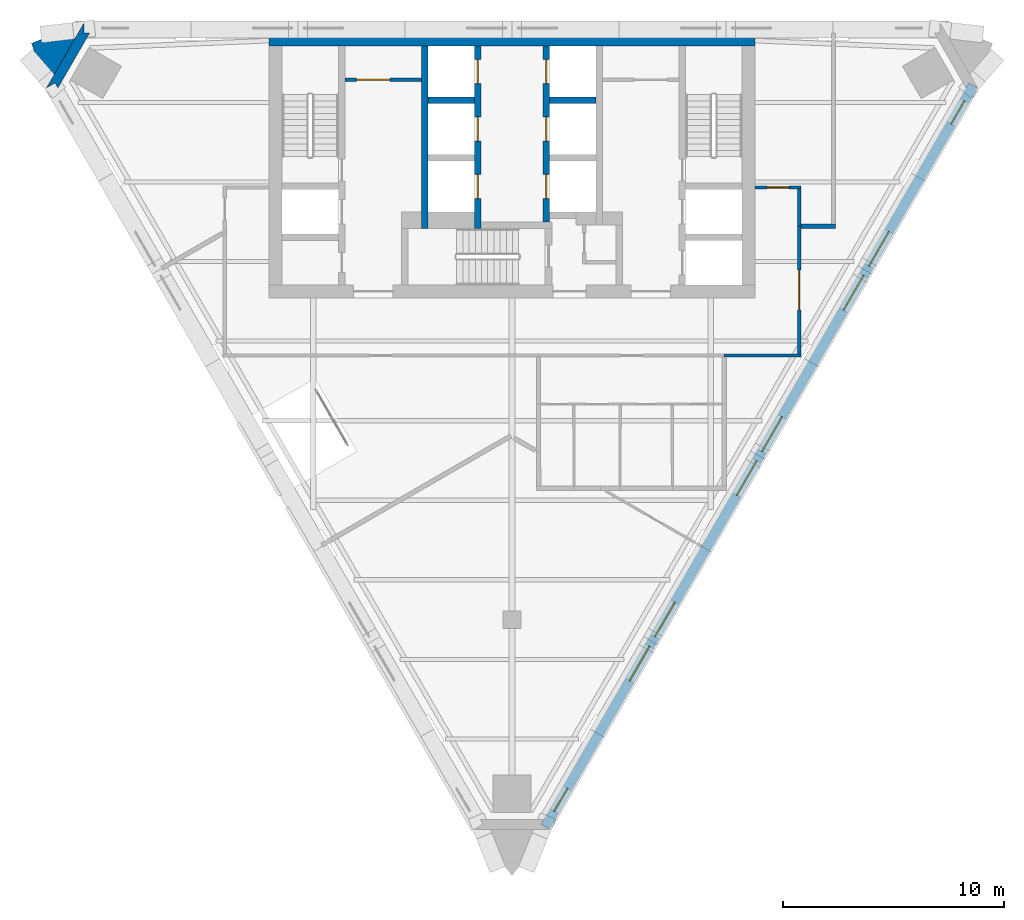
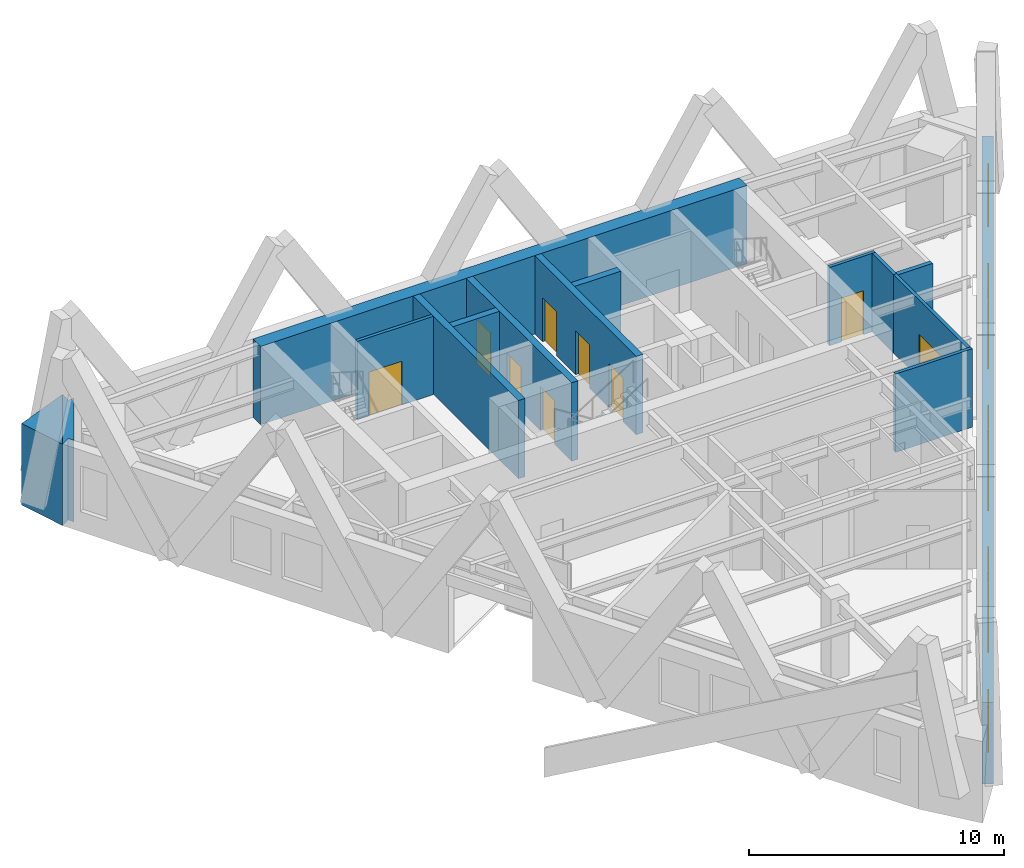
# One storey, part 6 of 9: 15 walls, 9 doors, 8 windows, 17 openings.
"""IFC4 building model written with IfcOpenShell, lengths in metres."""

from ifc_helpers import new_model, si_unit, direction, frame, frame_2d, origin, place, context, subcontext, project, spatial, polyline, rectangle, outline, extrude, material, layer, layer_set, type_object, element, fill, save


model = new_model("IFC4")

# Units and contexts
model_context = context("Model", 3, precision=1e-05, world=origin(), true_north=direction((0.0, 1.0)))
body_context = subcontext(model_context, "Body", "Model", "MODEL_VIEW")
ifc_project = project(units=[si_unit("LENGTHUNIT", "METRE"), si_unit("AREAUNIT", "SQUARE_METRE"), si_unit("VOLUMEUNIT", "CUBIC_METRE"), si_unit("PLANEANGLEUNIT", "RADIAN"), si_unit("MASSUNIT", "GRAM", prefix="KILO")], contexts=[model_context])

# Site, building, storey
site_placement = place(None, origin())
site = spatial("IfcSite", under=ifc_project, at=site_placement, CompositionType="ELEMENT")
building_placement = place(site_placement, origin())
building = spatial("IfcBuilding", under=site, at=building_placement, Name="Aloe Facet Convention Tower", CompositionType="ELEMENT")
storey_placement = place(building_placement, frame((0.0, 0.0, 203.60009765625)))
storey = spatial("IfcBuildingStorey", under=building, at=storey_placement, Name="L51", CompositionType="ELEMENT", Elevation=203.60009765625)

# Wall, opening, door
ifc_material_1 = material(Name="Concrete blockwork partition", Category="masonry")
ifc_layer_1 = layer(ifc_material_1, 0.14990234375)
ifc_layer_set_1 = layer_set([ifc_layer_1], Name="CR-W-PART150")
wall_type_1 = type_object("IfcWallType", Name="CR-W-PART150", PredefinedType="PARTITIONING", material=ifc_layer_set_1)
wall_1_placement = place(storey_placement, frame((72.449951171875, 132.425048828125, 0.0), z_axis=(0.0, 0.0, 1.0), x_axis=(1.0, 0.0, 0.0)))
wall_1 = element("IfcWall", 1, at=wall_1_placement, inside=storey, type_object=wall_type_1, Name="Core partition L51-007", PredefinedType="PARTITIONING", context=body_context, shape_type="SweptSolid", body=[
    extrude(rectangle(XDim=3.449951171875, YDim=0.14990234375, at=frame_2d((1.72509765625, 0.0))), origin(), (0.0, 0.0, 1.0), 3.75),
])
opening_1_placement = place(wall_1_placement, frame((0.52490234375, 0.0, 0.0)))
opening_1 = element("IfcOpeningElement", 2, at=opening_1_placement, cuts=wall_1, Name="Opening L51-CD14", PredefinedType="OPENING", context=body_context, shape_type="SweptSolid", body=[
    extrude(rectangle(XDim=1.5, YDim=2.10009765625, at=frame_2d((0.75, 1.050048828125))), frame((0.0, 0.0849609375, 0.0), z_axis=(0.0, -1.0, 0.0), x_axis=(1.0, 0.0, 0.0)), (0.0, 0.0, 1.0), 0.169921875),
])
ifc_material_2 = material(Name="Steel fire-resisting door set FD60", Category="steel")
door_type_1 = type_object("IfcDoorType", Name="CR-D-REFUGE-1500-FD60-DD", OperationType="DOUBLE_DOOR_DOUBLE_SWING", PredefinedType="DOOR", material=ifc_material_2)
door_1_placement = place(opening_1_placement, origin())
door_1 = element("IfcDoor", 3, at=door_1_placement, inside=storey, type_object=door_type_1, Name="Core door L51-CD14", OperationType="DOUBLE_DOOR_DOUBLE_SWING", OverallHeight=2.10009765625, OverallWidth=1.5, PredefinedType="DOOR", context=body_context, shape_type="SweptSolid", body=[
    extrude(rectangle(XDim=1.5, YDim=2.10009765625, at=frame_2d((0.75, 1.050048828125))), frame((0.0, 0.02490234375, 0.0), z_axis=(0.0, -1.0, 0.0), x_axis=(1.0, 0.0, 0.0)), (0.0, 0.0, 1.0), 0.050048828125),
])
fill(opening_1, door_1)

# Walls
ifc_material_3 = material(Name="Concrete C50/60", Category="concrete")
ifc_layer_2 = layer(ifc_material_3, 0.300048828125)
ifc_layer_set_2 = layer_set([ifc_layer_2], Name="CR-W-RC300-C5060")
wall_type_2 = type_object("IfcWallType", Name="CR-W-RC300-C5060", PredefinedType="SOLIDWALL", material=ifc_layer_set_2)
wall_2_placement = place(storey_placement, frame((76.050048828125, 133.949951171875, 0.0), z_axis=(0.0, 0.0, 1.0), x_axis=(0.0, -1.0, 0.0)))
element("IfcWall", 4, at=wall_2_placement, inside=storey, type_object=wall_type_2, Name="Core wall L51-010", PredefinedType="SOLIDWALL", context=body_context, shape_type="SweptSolid", body=[
    extrude(rectangle(XDim=8.25, YDim=0.300048828125, at=frame_2d((4.125, 0.0))), origin(), (0.0, 0.0, 1.0), 3.75),
])
wall_3_placement = place(storey_placement, frame((76.199951171875, 131.5, 0.0), z_axis=(0.0, 0.0, 1.0), x_axis=(1.0, 0.0, 0.0)))
element("IfcWall", 5, at=wall_3_placement, inside=storey, type_object=wall_type_2, Name="Core wall L51-011", PredefinedType="SOLIDWALL", context=body_context, shape_type="SweptSolid", body=[
    extrude(rectangle(XDim=2.10009765625, YDim=0.300048828125, at=frame_2d((1.050048828125, 0.0))), origin(), (0.0, 0.0, 1.0), 3.75),
])

# Wall, openings, doors
wall_4_placement = place(storey_placement, frame((78.449951171875, 133.949951171875, 0.0), z_axis=(0.0, 0.0, 1.0), x_axis=(0.0, -1.0, 0.0)))
wall_4 = element("IfcWall", 6, at=wall_4_placement, inside=storey, type_object=wall_type_2, Name="Core wall L51-014", PredefinedType="SOLIDWALL", context=body_context, shape_type="SweptSolid", body=[
    extrude(rectangle(XDim=8.25, YDim=0.300048828125, at=frame_2d((4.125, 0.0))), origin(), (0.0, 0.0, 1.0), 3.75),
])
opening_2_placement = place(wall_4_placement, frame((0.60009765625, 0.0, 0.0)))
opening_2 = element("IfcOpeningElement", 7, at=opening_2_placement, cuts=wall_4, Name="Opening LD-B1-L51", PredefinedType="OPENING", context=body_context, shape_type="SweptSolid", body=[
    extrude(rectangle(XDim=1.10009765625, YDim=2.10009765625, at=frame_2d((0.550048828125, 1.050048828125))), frame((0.0, 0.16015625, 0.0), z_axis=(0.0, -1.0, 0.0), x_axis=(1.0, 0.0, 0.0)), (0.0, 0.0, 1.0), 0.320068359375),
])
opening_3_placement = place(wall_4_placement, frame((3.199951171875, 0.0, 0.0)))
opening_3 = element("IfcOpeningElement", 8, at=opening_3_placement, cuts=wall_4, Name="Opening LD-B2-L51", PredefinedType="OPENING", context=body_context, shape_type="SweptSolid", body=[
    extrude(rectangle(XDim=1.10009765625, YDim=2.10009765625, at=frame_2d((0.550048828125, 1.050048828125))), frame((0.0, 0.16015625, 0.0), z_axis=(0.0, -1.0, 0.0), x_axis=(1.0, 0.0, 0.0)), (0.0, 0.0, 1.0), 0.320068359375),
])
opening_4_placement = place(wall_4_placement, frame((5.800048828125, 0.0, 0.0)))
opening_4 = element("IfcOpeningElement", 9, at=opening_4_placement, cuts=wall_4, Name="Opening LD-B3-L51", PredefinedType="OPENING", context=body_context, shape_type="SweptSolid", body=[
    extrude(rectangle(XDim=1.10009765625, YDim=2.10009765625, at=frame_2d((0.550048828125, 1.050048828125))), frame((0.0, 0.16015625, 0.0), z_axis=(0.0, -1.0, 0.0), x_axis=(1.0, 0.0, 0.0)), (0.0, 0.0, 1.0), 0.320068359375),
])
ifc_material_4 = material(Name="Stainless steel sliding landing door", Category="steel")
door_type_2 = type_object("IfcDoorType", Name="CR-LD-1100-FD60-RIGHT", OperationType="SLIDING_TO_RIGHT", PredefinedType="DOOR", material=ifc_material_4)
door_2_placement = place(opening_2_placement, origin())
door_2 = element("IfcDoor", 10, at=door_2_placement, inside=storey, type_object=door_type_2, Name="Landing door B1 L51", OperationType="SLIDING_TO_RIGHT", OverallHeight=2.10009765625, OverallWidth=1.10009765625, PredefinedType="DOOR", context=body_context, shape_type="SweptSolid", body=[
    extrude(rectangle(XDim=1.10009765625, YDim=2.10009765625, at=frame_2d((0.550048828125, 1.050048828125))), frame((0.0, 0.02490234375, 0.0), z_axis=(0.0, -1.0, 0.0), x_axis=(1.0, 0.0, 0.0)), (0.0, 0.0, 1.0), 0.050048828125),
])
fill(opening_2, door_2)
door_3_placement = place(opening_3_placement, origin())
door_3 = element("IfcDoor", 11, at=door_3_placement, inside=storey, type_object=door_type_2, Name="Landing door B2 L51", OperationType="SLIDING_TO_RIGHT", OverallHeight=2.10009765625, OverallWidth=1.10009765625, PredefinedType="DOOR", context=body_context, shape_type="SweptSolid", body=[
    extrude(rectangle(XDim=1.10009765625, YDim=2.10009765625, at=frame_2d((0.550048828125, 1.050048828125))), frame((0.0, 0.02490234375, 0.0), z_axis=(0.0, -1.0, 0.0), x_axis=(1.0, 0.0, 0.0)), (0.0, 0.0, 1.0), 0.050048828125),
])
fill(opening_3, door_3)
door_4_placement = place(opening_4_placement, origin())
door_4 = element("IfcDoor", 12, at=door_4_placement, inside=storey, type_object=door_type_2, Name="Landing door B3 L51", OperationType="SLIDING_TO_RIGHT", OverallHeight=2.10009765625, OverallWidth=1.10009765625, PredefinedType="DOOR", context=body_context, shape_type="SweptSolid", body=[
    extrude(rectangle(XDim=1.10009765625, YDim=2.10009765625, at=frame_2d((0.550048828125, 1.050048828125))), frame((0.0, 0.02490234375, 0.0), z_axis=(0.0, -1.0, 0.0), x_axis=(1.0, 0.0, 0.0)), (0.0, 0.0, 1.0), 0.050048828125),
])
fill(opening_4, door_4)

wall_5_placement = place(storey_placement, frame((81.550048828125, 133.949951171875, 0.0), z_axis=(0.0, 0.0, 1.0), x_axis=(0.0, -1.0, 0.0)))
wall_5 = element("IfcWall", 13, at=wall_5_placement, inside=storey, type_object=wall_type_2, Name="Core wall L51-016", PredefinedType="SOLIDWALL", context=body_context, shape_type="SweptSolid", body=[
    extrude(rectangle(XDim=7.949951171875, YDim=0.300048828125, at=frame_2d((3.97509765625, 0.0))), origin(), (0.0, 0.0, 1.0), 3.75),
])
opening_5_placement = place(wall_5_placement, frame((0.60009765625, 0.0, 0.0)))
opening_5 = element("IfcOpeningElement", 14, at=opening_5_placement, cuts=wall_5, Name="Opening LD-B4-L51", PredefinedType="OPENING", context=body_context, shape_type="SweptSolid", body=[
    extrude(rectangle(XDim=1.10009765625, YDim=2.10009765625, at=frame_2d((0.550048828125, 1.050048828125))), frame((0.0, 0.16015625, 0.0), z_axis=(0.0, -1.0, 0.0), x_axis=(1.0, 0.0, 0.0)), (0.0, 0.0, 1.0), 0.320068359375),
])
opening_6_placement = place(wall_5_placement, frame((3.199951171875, 0.0, 0.0)))
opening_6 = element("IfcOpeningElement", 15, at=opening_6_placement, cuts=wall_5, Name="Opening LD-B5-L51", PredefinedType="OPENING", context=body_context, shape_type="SweptSolid", body=[
    extrude(rectangle(XDim=1.10009765625, YDim=2.10009765625, at=frame_2d((0.550048828125, 1.050048828125))), frame((0.0, 0.16015625, 0.0), z_axis=(0.0, -1.0, 0.0), x_axis=(1.0, 0.0, 0.0)), (0.0, 0.0, 1.0), 0.320068359375),
])
opening_7_placement = place(wall_5_placement, frame((5.800048828125, 0.0, 0.0)))
opening_7 = element("IfcOpeningElement", 16, at=opening_7_placement, cuts=wall_5, Name="Opening LD-B6-L51", PredefinedType="OPENING", context=body_context, shape_type="SweptSolid", body=[
    extrude(rectangle(XDim=1.10009765625, YDim=2.10009765625, at=frame_2d((0.550048828125, 1.050048828125))), frame((0.0, 0.16015625, 0.0), z_axis=(0.0, -1.0, 0.0), x_axis=(1.0, 0.0, 0.0)), (0.0, 0.0, 1.0), 0.320068359375),
])
ifc_material_5 = material(Name="Stainless steel sliding landing door", Category="steel")
door_type_3 = type_object("IfcDoorType", Name="CR-LD-1100-FD60-_LEFT", OperationType="SLIDING_TO_LEFT", PredefinedType="DOOR", material=ifc_material_5)
door_5_placement = place(opening_5_placement, origin())
door_5 = element("IfcDoor", 17, at=door_5_placement, inside=storey, type_object=door_type_3, Name="Landing door B4 L51", OperationType="SLIDING_TO_LEFT", OverallHeight=2.10009765625, OverallWidth=1.10009765625, PredefinedType="DOOR", context=body_context, shape_type="SweptSolid", body=[
    extrude(rectangle(XDim=1.10009765625, YDim=2.10009765625, at=frame_2d((0.550048828125, 1.050048828125))), frame((0.0, 0.02490234375, 0.0), z_axis=(0.0, -1.0, 0.0), x_axis=(1.0, 0.0, 0.0)), (0.0, 0.0, 1.0), 0.050048828125),
])
fill(opening_5, door_5)
door_6_placement = place(opening_6_placement, origin())
door_6 = element("IfcDoor", 18, at=door_6_placement, inside=storey, type_object=door_type_3, Name="Landing door B5 L51", OperationType="SLIDING_TO_LEFT", OverallHeight=2.10009765625, OverallWidth=1.10009765625, PredefinedType="DOOR", context=body_context, shape_type="SweptSolid", body=[
    extrude(rectangle(XDim=1.10009765625, YDim=2.10009765625, at=frame_2d((0.550048828125, 1.050048828125))), frame((0.0, 0.02490234375, 0.0), z_axis=(0.0, -1.0, 0.0), x_axis=(1.0, 0.0, 0.0)), (0.0, 0.0, 1.0), 0.050048828125),
])
fill(opening_6, door_6)
door_7_placement = place(opening_7_placement, origin())
door_7 = element("IfcDoor", 19, at=door_7_placement, inside=storey, type_object=door_type_3, Name="Landing door B6 L51", OperationType="SLIDING_TO_LEFT", OverallHeight=2.10009765625, OverallWidth=1.10009765625, PredefinedType="DOOR", context=body_context, shape_type="SweptSolid", body=[
    extrude(rectangle(XDim=1.10009765625, YDim=2.10009765625, at=frame_2d((0.550048828125, 1.050048828125))), frame((0.0, 0.02490234375, 0.0), z_axis=(0.0, -1.0, 0.0), x_axis=(1.0, 0.0, 0.0)), (0.0, 0.0, 1.0), 0.050048828125),
])
fill(opening_7, door_7)

# Walls
wall_6_placement = place(storey_placement, frame((81.699951171875, 131.5, 0.0), z_axis=(0.0, 0.0, 1.0), x_axis=(1.0, 0.0, 0.0)))
element("IfcWall", 20, at=wall_6_placement, inside=storey, type_object=wall_type_2, Name="Core wall L51-018", PredefinedType="SOLIDWALL", context=body_context, shape_type="SweptSolid", body=[
    extrude(rectangle(XDim=2.10009765625, YDim=0.300048828125, at=frame_2d((1.050048828125, 0.0))), origin(), (0.0, 0.0, 1.0), 3.75),
])
ifc_material_6 = material(Name="Concrete C50/60", Category="concrete")
ifc_layer_3 = layer(ifc_material_6, 0.60009765625)
ifc_layer_set_3 = layer_set([ifc_layer_3], Name="CR-W-RC600-C5060")
wall_type_3 = type_object("IfcWallType", Name="CR-W-RC600-C5060", PredefinedType="SOLIDWALL", material=ifc_layer_set_3)
wall_7_placement = place(storey_placement, frame((69.0, 134.25, 0.0), z_axis=(0.0, 0.0, 1.0), x_axis=(1.0, 0.0, 0.0)))
element("IfcWall", 21, at=wall_7_placement, inside=storey, type_object=wall_type_3, Name="Core wall L51-001", PredefinedType="SOLIDWALL", context=body_context, shape_type="SweptSolid", body=[
    extrude(rectangle(XDim=22.0, YDim=0.60009765625, at=frame_2d((11.0, 0.0))), origin(), (0.0, 0.0, 1.0), 3.75),
])
ifc_material_7 = material(Name="Precast concrete C40/50", Category="concrete")
ifc_layer_4 = layer(ifc_material_7, 0.449951171875)
ifc_layer_set_4 = layer_set([ifc_layer_4], Name="EV-WALL-PIER")
wall_type_4 = type_object("IfcWallType", Name="EV-WALL-PIER", PredefinedType="SOLIDWALL", material=ifc_layer_set_4)
wall_8_placement = place(storey_placement, frame((0.0, 0.0, -0.150146484375)))
element("IfcWall", 22, at=wall_8_placement, inside=storey, type_object=wall_type_4, Name="EP-L51-A", PredefinedType="SOLIDWALL", context=body_context, shape_type="SweptSolid", body=[
    extrude(outline(polyline([(60.635498046875, 135.0), (60.635498046875, 134.550048828125), (60.895263671875, 134.550048828125), (59.455078125, 132.055419921875), (59.3251953125, 132.280517578125), (58.935302734375, 132.055419921875), (60.635498046875, 135.0)])), origin(), (0.0, 0.0, 1.0), 3.900146484375),
])
ifc_material_8 = material(Name="Precast concrete C40/50", Category="concrete")
ifc_layer_5 = layer(ifc_material_8, 3.947998046875)
ifc_layer_set_5 = layer_set([ifc_layer_5], Name="EV-WALL-SPINE")
wall_type_5 = type_object("IfcWallType", Name="EV-WALL-SPINE", PredefinedType="SOLIDWALL", material=ifc_layer_set_5)
wall_9_placement = place(storey_placement, frame((0.0, 0.0, -0.150146484375)))
element("IfcWall", 23, at=wall_9_placement, inside=storey, type_object=wall_type_5, Name="SP-NW-L51", PredefinedType="SOLIDWALL", context=body_context, shape_type="SweptSolid", body=[
    extrude(outline(polyline([(60.635498046875, 135.0), (58.258056640625, 134.07763671875), (58.935302734375, 132.055419921875), (60.635498046875, 135.0)])), origin(), (0.0, 0.0, 1.0), 3.900146484375),
])

# Wall, openings, windows
ifc_material_9 = material(Name="Precast concrete C40/50", Category="concrete")
ifc_layer_6 = layer(ifc_material_9, 0.449951171875)
ifc_layer_set_6 = layer_set([ifc_layer_6], Name="EV-WALL-STONE")
wall_type_6 = type_object("IfcWallType", Name="EV-WALL-STONE", PredefinedType="SOLIDWALL", material=ifc_layer_set_6)
wall_10_placement = place(storey_placement, frame((81.505126953125, 98.62744140625, -0.150146484375), z_axis=(0.0, 0.0, 1.0), x_axis=(0.500002199942, 0.866024133644, 0.0)))
wall_10 = element("IfcWall", 24, at=wall_10_placement, inside=storey, type_object=wall_type_6, Name="EW-L51-E01", PredefinedType="SOLIDWALL", context=body_context, shape_type="SweptSolid", body=[
    extrude(outline(polyline([(38.729248046875, 0.0), (38.729248046875, 3.900146484375), (0.0, 3.900146484375), (0.0, 0.0), (38.729248046875, 0.0)])), frame((0.0, 0.22509765625, 0.0), z_axis=(0.0, -1.0, 0.0), x_axis=(1.0, 0.0, 0.0)), (0.0, 0.0, 1.0), 0.449951171875),
])
opening_8_placement = place(wall_10_placement, frame((0.80712890625, 0.0, 0.949951171875)))
opening_8 = element("IfcOpeningElement", 25, at=opening_8_placement, cuts=wall_10, Name="Opening W-L51-E01", PredefinedType="OPENING", context=body_context, shape_type="SweptSolid", body=[
    extrude(rectangle(XDim=1.199951171875, YDim=2.199951171875, at=frame_2d((0.60009765625, 1.10009765625))), frame((0.0, 0.23486328125, 0.0), z_axis=(0.0, -1.0, 0.0), x_axis=(1.0, 0.0, 0.0)), (0.0, 0.0, 1.0), 0.469970703125),
])
opening_9_placement = place(wall_10_placement, frame((7.63232421875, 0.0, 0.949951171875)))
opening_9 = element("IfcOpeningElement", 26, at=opening_9_placement, cuts=wall_10, Name="Opening W-L51-E02", PredefinedType="OPENING", context=body_context, shape_type="SweptSolid", body=[
    extrude(rectangle(XDim=1.800048828125, YDim=2.199951171875, at=frame_2d((0.89990234375, 1.10009765625))), frame((0.0, 0.23486328125, 0.0), z_axis=(0.0, -1.0, 0.0), x_axis=(1.0, 0.0, 0.0)), (0.0, 0.0, 1.0), 0.469970703125),
])
opening_10_placement = place(wall_10_placement, frame((9.932373046875, 0.0, 0.949951171875)))
opening_10 = element("IfcOpeningElement", 27, at=opening_10_placement, cuts=wall_10, Name="Opening W-L51-E03", PredefinedType="OPENING", context=body_context, shape_type="SweptSolid", body=[
    extrude(rectangle(XDim=1.800048828125, YDim=2.199951171875, at=frame_2d((0.89990234375, 1.10009765625))), frame((0.0, 0.23486328125, 0.0), z_axis=(0.0, -1.0, 0.0), x_axis=(1.0, 0.0, 0.0)), (0.0, 0.0, 1.0), 0.469970703125),
])
opening_11_placement = place(wall_10_placement, frame((17.314697265625, 0.0, 0.949951171875)))
opening_11 = element("IfcOpeningElement", 28, at=opening_11_placement, cuts=wall_10, Name="Opening W-L51-E04", PredefinedType="OPENING", context=body_context, shape_type="SweptSolid", body=[
    extrude(rectangle(XDim=1.800048828125, YDim=2.199951171875, at=frame_2d((0.89990234375, 1.10009765625))), frame((0.0, 0.23486328125, 0.0), z_axis=(0.0, -1.0, 0.0), x_axis=(1.0, 0.0, 0.0)), (0.0, 0.0, 1.0), 0.469970703125),
])
opening_12_placement = place(wall_10_placement, frame((19.614501953125, 0.0, 0.949951171875)))
opening_12 = element("IfcOpeningElement", 29, at=opening_12_placement, cuts=wall_10, Name="Opening W-L51-E05", PredefinedType="OPENING", context=body_context, shape_type="SweptSolid", body=[
    extrude(rectangle(XDim=1.800048828125, YDim=2.199951171875, at=frame_2d((0.89990234375, 1.10009765625))), frame((0.0, 0.23486328125, 0.0), z_axis=(0.0, -1.0, 0.0), x_axis=(1.0, 0.0, 0.0)), (0.0, 0.0, 1.0), 0.469970703125),
])
opening_13_placement = place(wall_10_placement, frame((26.996826171875, 0.0, 0.949951171875)))
opening_13 = element("IfcOpeningElement", 30, at=opening_13_placement, cuts=wall_10, Name="Opening W-L51-E06", PredefinedType="OPENING", context=body_context, shape_type="SweptSolid", body=[
    extrude(rectangle(XDim=1.800048828125, YDim=2.199951171875, at=frame_2d((0.89990234375, 1.10009765625))), frame((0.0, 0.23486328125, 0.0), z_axis=(0.0, -1.0, 0.0), x_axis=(1.0, 0.0, 0.0)), (0.0, 0.0, 1.0), 0.469970703125),
])
opening_14_placement = place(wall_10_placement, frame((29.296875, 0.0, 0.949951171875)))
opening_14 = element("IfcOpeningElement", 31, at=opening_14_placement, cuts=wall_10, Name="Opening W-L51-E07", PredefinedType="OPENING", context=body_context, shape_type="SweptSolid", body=[
    extrude(rectangle(XDim=1.800048828125, YDim=2.199951171875, at=frame_2d((0.89990234375, 1.10009765625))), frame((0.0, 0.23486328125, 0.0), z_axis=(0.0, -1.0, 0.0), x_axis=(1.0, 0.0, 0.0)), (0.0, 0.0, 1.0), 0.469970703125),
])
opening_15_placement = place(wall_10_placement, frame((36.72216796875, 0.0, 0.949951171875)))
opening_15 = element("IfcOpeningElement", 32, at=opening_15_placement, cuts=wall_10, Name="Opening W-L51-E08", PredefinedType="OPENING", context=body_context, shape_type="SweptSolid", body=[
    extrude(rectangle(XDim=1.199951171875, YDim=2.199951171875, at=frame_2d((0.60009765625, 1.10009765625))), frame((0.0, 0.23486328125, 0.0), z_axis=(0.0, -1.0, 0.0), x_axis=(1.0, 0.0, 0.0)), (0.0, 0.0, 1.0), 0.469970703125),
])
ifc_material_10 = material(Name="Aluminium frame, clear double glazing", Category="aluminium")
window_type_1 = type_object("IfcWindowType", Name="EV-WIN-O12", PartitioningType="SINGLE_PANEL", PredefinedType="WINDOW", material=ifc_material_10)
window_1_placement = place(opening_8_placement, origin())
window_1 = element("IfcWindow", 33, at=window_1_placement, inside=storey, type_object=window_type_1, Name="W-L51-E01", OverallHeight=2.199951171875, OverallWidth=1.199951171875, PartitioningType="SINGLE_PANEL", PredefinedType="WINDOW", context=body_context, shape_type="SweptSolid", body=[
    extrude(rectangle(XDim=1.199951171875, YDim=2.199951171875, at=frame_2d((0.60009765625, 1.10009765625))), frame((0.0, 0.030029296875, 0.0), z_axis=(0.0, -1.0, 0.0), x_axis=(1.0, 0.0, 0.0)), (0.0, 0.0, 1.0), 0.06005859375),
])
fill(opening_8, window_1)
window_2_placement = place(opening_15_placement, origin())
window_2 = element("IfcWindow", 34, at=window_2_placement, inside=storey, type_object=window_type_1, Name="W-L51-E08", OverallHeight=2.199951171875, OverallWidth=1.199951171875, PartitioningType="SINGLE_PANEL", PredefinedType="WINDOW", context=body_context, shape_type="SweptSolid", body=[
    extrude(rectangle(XDim=1.199951171875, YDim=2.199951171875, at=frame_2d((0.60009765625, 1.10009765625))), frame((0.0, 0.030029296875, 0.0), z_axis=(0.0, -1.0, 0.0), x_axis=(1.0, 0.0, 0.0)), (0.0, 0.0, 1.0), 0.06005859375),
])
fill(opening_15, window_2)
ifc_material_11 = material(Name="Aluminium frame, clear double glazing", Category="aluminium")
window_type_2 = type_object("IfcWindowType", Name="EV-WIN-O18", PartitioningType="SINGLE_PANEL", PredefinedType="WINDOW", material=ifc_material_11)
window_3_placement = place(opening_9_placement, origin())
window_3 = element("IfcWindow", 35, at=window_3_placement, inside=storey, type_object=window_type_2, Name="W-L51-E02", OverallHeight=2.199951171875, OverallWidth=1.800048828125, PartitioningType="SINGLE_PANEL", PredefinedType="WINDOW", context=body_context, shape_type="SweptSolid", body=[
    extrude(rectangle(XDim=1.800048828125, YDim=2.199951171875, at=frame_2d((0.89990234375, 1.10009765625))), frame((0.0, 0.030029296875, 0.0), z_axis=(0.0, -1.0, 0.0), x_axis=(1.0, 0.0, 0.0)), (0.0, 0.0, 1.0), 0.06005859375),
])
fill(opening_9, window_3)
window_4_placement = place(opening_10_placement, origin())
window_4 = element("IfcWindow", 36, at=window_4_placement, inside=storey, type_object=window_type_2, Name="W-L51-E03", OverallHeight=2.199951171875, OverallWidth=1.800048828125, PartitioningType="SINGLE_PANEL", PredefinedType="WINDOW", context=body_context, shape_type="SweptSolid", body=[
    extrude(rectangle(XDim=1.800048828125, YDim=2.199951171875, at=frame_2d((0.89990234375, 1.10009765625))), frame((0.0, 0.030029296875, 0.0), z_axis=(0.0, -1.0, 0.0), x_axis=(1.0, 0.0, 0.0)), (0.0, 0.0, 1.0), 0.06005859375),
])
fill(opening_10, window_4)
window_5_placement = place(opening_11_placement, origin())
window_5 = element("IfcWindow", 37, at=window_5_placement, inside=storey, type_object=window_type_2, Name="W-L51-E04", OverallHeight=2.199951171875, OverallWidth=1.800048828125, PartitioningType="SINGLE_PANEL", PredefinedType="WINDOW", context=body_context, shape_type="SweptSolid", body=[
    extrude(rectangle(XDim=1.800048828125, YDim=2.199951171875, at=frame_2d((0.89990234375, 1.10009765625))), frame((0.0, 0.030029296875, 0.0), z_axis=(0.0, -1.0, 0.0), x_axis=(1.0, 0.0, 0.0)), (0.0, 0.0, 1.0), 0.06005859375),
])
fill(opening_11, window_5)
window_6_placement = place(opening_12_placement, origin())
window_6 = element("IfcWindow", 38, at=window_6_placement, inside=storey, type_object=window_type_2, Name="W-L51-E05", OverallHeight=2.199951171875, OverallWidth=1.800048828125, PartitioningType="SINGLE_PANEL", PredefinedType="WINDOW", context=body_context, shape_type="SweptSolid", body=[
    extrude(rectangle(XDim=1.800048828125, YDim=2.199951171875, at=frame_2d((0.89990234375, 1.10009765625))), frame((0.0, 0.030029296875, 0.0), z_axis=(0.0, -1.0, 0.0), x_axis=(1.0, 0.0, 0.0)), (0.0, 0.0, 1.0), 0.06005859375),
])
fill(opening_12, window_6)
window_7_placement = place(opening_13_placement, origin())
window_7 = element("IfcWindow", 39, at=window_7_placement, inside=storey, type_object=window_type_2, Name="W-L51-E06", OverallHeight=2.199951171875, OverallWidth=1.800048828125, PartitioningType="SINGLE_PANEL", PredefinedType="WINDOW", context=body_context, shape_type="SweptSolid", body=[
    extrude(rectangle(XDim=1.800048828125, YDim=2.199951171875, at=frame_2d((0.89990234375, 1.10009765625))), frame((0.0, 0.030029296875, 0.0), z_axis=(0.0, -1.0, 0.0), x_axis=(1.0, 0.0, 0.0)), (0.0, 0.0, 1.0), 0.06005859375),
])
fill(opening_13, window_7)
window_8_placement = place(opening_14_placement, origin())
window_8 = element("IfcWindow", 40, at=window_8_placement, inside=storey, type_object=window_type_2, Name="W-L51-E07", OverallHeight=2.199951171875, OverallWidth=1.800048828125, PartitioningType="SINGLE_PANEL", PredefinedType="WINDOW", context=body_context, shape_type="SweptSolid", body=[
    extrude(rectangle(XDim=1.800048828125, YDim=2.199951171875, at=frame_2d((0.89990234375, 1.10009765625))), frame((0.0, 0.030029296875, 0.0), z_axis=(0.0, -1.0, 0.0), x_axis=(1.0, 0.0, 0.0)), (0.0, 0.0, 1.0), 0.06005859375),
])
fill(opening_14, window_8)

# Wall
ifc_material_12 = material(Name="Gypsum board partition on steel studs", Category="steel")
ifc_layer_7 = layer(ifc_material_12, 0.14990234375)
ifc_layer_set_7 = layer_set([ifc_layer_7], Name="IN-W-CORR")
wall_type_7 = type_object("IfcWallType", Name="IN-W-CORR", PredefinedType="PARTITIONING", material=ifc_layer_set_7)
wall_11_placement = place(storey_placement, frame((89.60009765625, 119.949951171875, 0.0), z_axis=(0.0, 0.0, 1.0), x_axis=(1.0, 0.0, 0.0)))
element("IfcWall", 41, at=wall_11_placement, inside=storey, type_object=wall_type_7, Name="Partition L51-W023", PredefinedType="PARTITIONING", context=body_context, shape_type="SweptSolid", body=[
    extrude(rectangle(XDim=3.474853515625, YDim=0.14990234375, at=frame_2d((1.7373046875, 0.0))), origin(), (0.0, 0.0, 1.0), 3.75),
])

# Wall, opening, door
wall_12_placement = place(storey_placement, frame((93.0, 120.02490234375, 0.0), z_axis=(0.0, 0.0, 1.0), x_axis=(0.0, 1.0, 0.0)))
wall_12 = element("IfcWall", 42, at=wall_12_placement, inside=storey, type_object=wall_type_7, Name="Partition L51-W024", PredefinedType="PARTITIONING", context=body_context, shape_type="SweptSolid", body=[
    extrude(rectangle(XDim=5.775146484375, YDim=0.14990234375, at=frame_2d((2.8876953125, 0.0))), origin(), (0.0, 0.0, 1.0), 3.75),
])
opening_16_placement = place(wall_12_placement, frame((1.987548828125, 0.0, 0.0)))
opening_16 = element("IfcOpeningElement", 43, at=opening_16_placement, cuts=wall_12, Name="Opening L51-009", PredefinedType="OPENING", context=body_context, shape_type="SweptSolid", body=[
    extrude(rectangle(XDim=1.800048828125, YDim=2.10009765625, at=frame_2d((0.89990234375, 1.050048828125))), frame((0.0, 0.0849609375, 0.0), z_axis=(0.0, -1.0, 0.0), x_axis=(1.0, 0.0, 0.0)), (0.0, 0.0, 1.0), 0.169921875),
])
ifc_material_13 = material(Name="Glazed timber door pair FD30S", Category="wood")
door_type_4 = type_object("IfcDoorType", Name="IN-OFF-D-SUITE", OperationType="DOUBLE_DOOR_SINGLE_SWING", PredefinedType="DOOR", material=ifc_material_13)
door_8_placement = place(opening_16_placement, origin())
door_8 = element("IfcDoor", 44, at=door_8_placement, inside=storey, type_object=door_type_4, Name="Door L51-009", OperationType="SINGLE_SWING_LEFT", OverallHeight=2.10009765625, OverallWidth=1.800048828125, PredefinedType="DOOR", context=body_context, shape_type="SweptSolid", body=[
    extrude(rectangle(XDim=1.800048828125, YDim=2.10009765625, at=frame_2d((0.89990234375, 1.050048828125))), frame((0.0, 0.02490234375, 0.0), z_axis=(0.0, -1.0, 0.0), x_axis=(1.0, 0.0, 0.0)), (0.0, 0.0, 1.0), 0.050048828125),
])
fill(opening_16, door_8)

wall_13_placement = place(storey_placement, frame((91.0, 127.550048828125, 0.0), z_axis=(0.0, 0.0, 1.0), x_axis=(1.0, 0.0, 0.0)))
wall_13 = element("IfcWall", 45, at=wall_13_placement, inside=storey, type_object=wall_type_7, Name="Partition L51-W031", PredefinedType="PARTITIONING", context=body_context, shape_type="SweptSolid", body=[
    extrude(rectangle(XDim=2.074951171875, YDim=0.14990234375, at=frame_2d((1.03759765625, 0.0))), origin(), (0.0, 0.0, 1.0), 3.75),
])
opening_17_placement = place(wall_13_placement, frame((0.53759765625, 0.0, 0.0)))
opening_17 = element("IfcOpeningElement", 46, at=opening_17_placement, cuts=wall_13, Name="Opening L51-006", PredefinedType="OPENING", context=body_context, shape_type="SweptSolid", body=[
    extrude(rectangle(XDim=1.0, YDim=2.10009765625, at=frame_2d((0.5, 1.050048828125))), frame((0.0, 0.0849609375, 0.0), z_axis=(0.0, -1.0, 0.0), x_axis=(1.0, 0.0, 0.0)), (0.0, 0.0, 1.0), 0.169921875),
])
ifc_material_14 = material(Name="Timber door FD30S with vision panel", Category="wood")
door_type_5 = type_object("IfcDoorType", Name="IN-OFF-D-ENTRY", OperationType="SINGLE_SWING_LEFT", PredefinedType="DOOR", material=ifc_material_14)
door_9_placement = place(opening_17_placement, origin())
door_9 = element("IfcDoor", 47, at=door_9_placement, inside=storey, type_object=door_type_5, Name="Door L51-006", OperationType="SINGLE_SWING_LEFT", OverallHeight=2.10009765625, OverallWidth=1.0, PredefinedType="DOOR", context=body_context, shape_type="SweptSolid", body=[
    extrude(rectangle(XDim=1.0, YDim=2.10009765625, at=frame_2d((0.5, 1.050048828125))), frame((0.0, 0.02490234375, 0.0), z_axis=(0.0, -1.0, 0.0), x_axis=(1.0, 0.0, 0.0)), (0.0, 0.0, 1.0), 0.050048828125),
])
fill(opening_17, door_9)

# Walls
wall_14_placement = place(storey_placement, frame((93.0, 125.800048828125, 0.0), z_axis=(0.0, 0.0, 1.0), x_axis=(0.0, 1.0, 0.0)))
element("IfcWall", 48, at=wall_14_placement, inside=storey, type_object=wall_type_7, Name="Partition L51-W032", PredefinedType="PARTITIONING", context=body_context, shape_type="SweptSolid", body=[
    extrude(rectangle(XDim=1.675048828125, YDim=0.14990234375, at=frame_2d((0.83740234375, 0.0))), origin(), (0.0, 0.0, 1.0), 3.75),
])
ifc_material_15 = material(Name="Gypsum board partition on steel studs", Category="steel")
ifc_layer_8 = layer(ifc_material_15, 0.199951171875)
ifc_layer_set_8 = layer_set([ifc_layer_8], Name="IN-W-PARTY")
wall_type_8 = type_object("IfcWallType", Name="IN-W-PARTY", PredefinedType="PARTITIONING", material=ifc_layer_set_8)
wall_15_placement = place(storey_placement, frame((93.074951171875, 125.800048828125, 0.0), z_axis=(0.0, 0.0, 1.0), x_axis=(1.0, 0.0, 0.0)))
element("IfcWall", 49, at=wall_15_placement, inside=storey, type_object=wall_type_8, Name="Partition L51-W028", PredefinedType="PARTITIONING", context=body_context, shape_type="SweptSolid", body=[
    extrude(rectangle(XDim=1.570068359375, YDim=0.199951171875, at=frame_2d((0.78515625, 0.0))), origin(), (0.0, 0.0, 1.0), 3.75),
])

save(model, "model.ifc")
